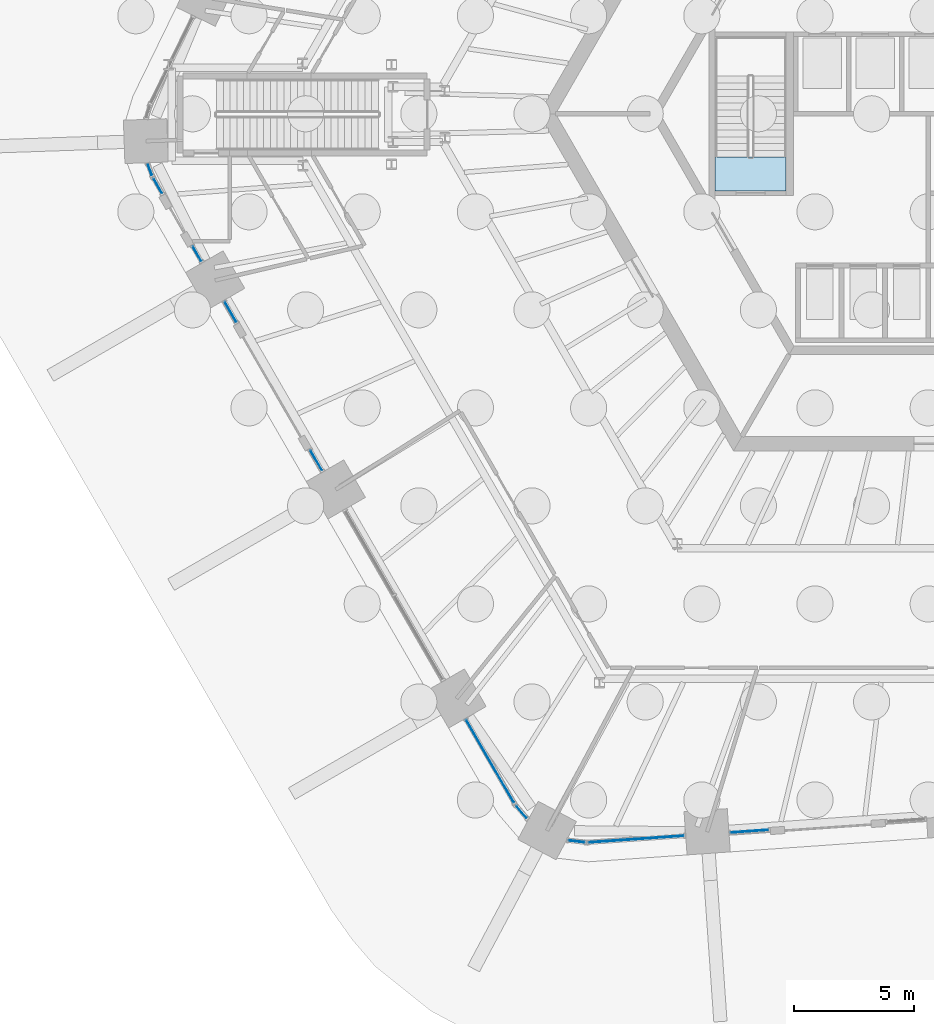
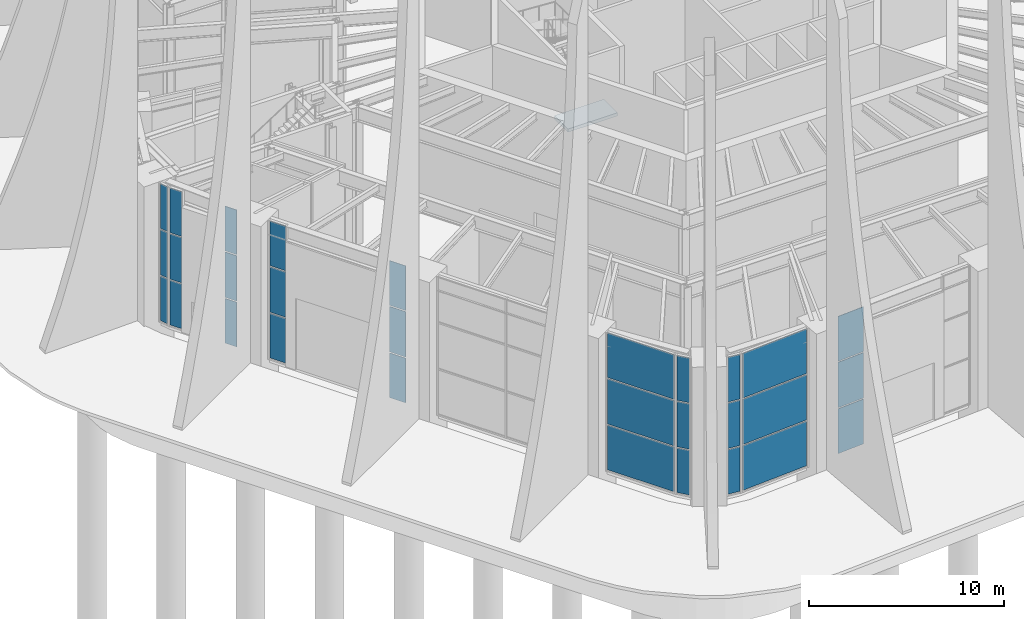
# One storey, part 18 of 43: 30 plates, 1 slab, 11 elements without a shape of their own.
"""IFC4 building model written with IfcOpenShell, lengths in metres."""

from ifc_helpers import new_model, si_unit, direction, frame, origin, origin_2d, place, context, subcontext, project, spatial, polyline, rectangle, outline, extrude, material, layer, layer_set, type_object, element, aggregate, save


model = new_model("IFC4")

# Units and contexts
model_context = context("Model", 3, precision=1e-05, world=origin(), true_north=direction((0.0, 1.0)))
body_context = subcontext(model_context, "Body", "Model", "MODEL_VIEW")
ifc_project = project(units=[si_unit("LENGTHUNIT", "METRE"), si_unit("AREAUNIT", "SQUARE_METRE"), si_unit("VOLUMEUNIT", "CUBIC_METRE"), si_unit("PLANEANGLEUNIT", "RADIAN"), si_unit("MASSUNIT", "GRAM", prefix="KILO")], contexts=[model_context])

# Site, building, storey
site_placement = place(None, origin())
site = spatial("IfcSite", under=ifc_project, at=site_placement, CompositionType="ELEMENT")
building_placement = place(site_placement, origin())
building = spatial("IfcBuilding", under=site, at=building_placement, Name="Tarnside Tower", CompositionType="ELEMENT")
storey_placement = place(building_placement, origin())
storey = spatial("IfcBuildingStorey", under=building, at=storey_placement, Name="L00", CompositionType="ELEMENT", Elevation=0.0)

# Curtain wall, plates
ifc_material_1 = material(Name="Lobby entrance glazing wall", Category="glass")
curtain_wall_type_1 = type_object("IfcCurtainWallType", Name="Lobby entrance glazing wall", PredefinedType="NOTDEFINED", material=ifc_material_1)
curtain_wall_1_placement = place(storey_placement, origin())
curtain_wall_1 = element("IfcCurtainWall", 1, at=curtain_wall_1_placement, inside=storey, type_object=curtain_wall_type_1, Name="Side light 12a", PredefinedType="NOTDEFINED")
ifc_material_2 = material(Name="Low-iron safety glass", Category="glass")
ifc_layer_1 = layer(ifc_material_2, 0.030029296875)
ifc_layer_set_1 = layer_set([ifc_layer_1], Name="Lobby entrance glazing panel 30")
plate_type_1 = type_object("IfcPlateType", Name="Lobby entrance glazing panel 30", PredefinedType="CURTAIN_PANEL", material=ifc_layer_set_1)
plate_1_placement = place(storey_placement, frame((-7.4189453125, -29.7900390625, 0.06982421875), z_axis=(0.0, 0.0, 1.0), x_axis=(0.997564050234, 0.06975647411, 0.0)))
plate_1 = element("IfcPlate", 2, at=plate_1_placement, type_object=plate_type_1, Name="CW3 panel 1.1", PredefinedType="CURTAIN_PANEL", context=body_context, shape_type="SweptSolid", body=[
    extrude(rectangle(XDim=1.57177734375, YDim=0.030029296875, at=origin_2d()), origin(), (0.0, 0.0, 1.0), 2.811767578125),
])
plate_2_placement = place(storey_placement, frame((-7.4189453125, -29.7900390625, 2.95166015625), z_axis=(0.0, 0.0, 1.0), x_axis=(0.997564050234, 0.06975647411, 0.0)))
plate_2 = element("IfcPlate", 3, at=plate_2_placement, type_object=plate_type_1, Name="CW3 panel 1.2", PredefinedType="CURTAIN_PANEL", context=body_context, shape_type="SweptSolid", body=[
    extrude(rectangle(XDim=1.57177734375, YDim=0.030029296875, at=origin_2d()), origin(), (0.0, 0.0, 1.0), 2.8466796875),
])
plate_3_placement = place(storey_placement, frame((-7.4189453125, -29.7900390625, 5.8681640625), z_axis=(0.0, 0.0, 1.0), x_axis=(0.997564050234, 0.06975647411, 0.0)))
plate_3 = element("IfcPlate", 4, at=plate_3_placement, type_object=plate_type_1, Name="CW3 panel 1.3", PredefinedType="CURTAIN_PANEL", context=body_context, shape_type="SweptSolid", body=[
    extrude(rectangle(XDim=1.57177734375, YDim=0.030029296875, at=origin_2d()), origin(), (0.0, 0.0, 1.0), 2.811767578125),
])
aggregate(curtain_wall_1, [plate_1, plate_2, plate_3])

# Stair, slab
ifc_material_3 = material(Name="Concrete C40/50", Category="concrete")
stair_type = type_object("IfcStairType", Name="Exit stair 1400 clear", PredefinedType="HALF_TURN_STAIR", material=ifc_material_3)
stair_placement = place(storey_placement, origin())
stair = element("IfcStair", 5, at=stair_placement, inside=storey, type_object=stair_type, Name="L00 Exit stair 2", PredefinedType="HALF_TURN_STAIR")
ifc_layer_2 = layer(ifc_material_3, 0.199951171875)
ifc_layer_set_2 = layer_set([ifc_layer_2], Name="Stair landing 200 C40/50")
slab_type = type_object("IfcSlabType", Name="Stair landing 200 C40/50", PredefinedType="LANDING", material=ifc_layer_set_2)
slab_placement = place(storey_placement, frame((0.0, 0.0, 4.300048828125)))
slab = element("IfcSlab", 6, at=slab_placement, type_object=slab_type, Name="ST2 landing 2", PredefinedType="LANDING", context=body_context, shape_type="SweptSolid", body=[
    extrude(outline(polyline([(-5.89990234375, -3.199951171875), (-5.89990234375, -1.800048828125), (-8.85009765625, -1.800048828125), (-8.85009765625, -3.199951171875), (-5.89990234375, -3.199951171875)])), origin(), (0.0, 0.0, 1.0), 0.199951171875),
])
aggregate(stair, [slab])

# Curtain wall, plates
ifc_material_4 = material(Name="Station concourse glazing wall", Category="glass")
curtain_wall_type_2 = type_object("IfcCurtainWallType", Name="Station concourse glazing wall", PredefinedType="NOTDEFINED", material=ifc_material_4)
curtain_wall_2_placement = place(storey_placement, origin())
curtain_wall_2 = element("IfcCurtainWall", 7, at=curtain_wall_2_placement, inside=storey, type_object=curtain_wall_type_2, Name="Side light 070a", PredefinedType="NOTDEFINED")
ifc_layer_3 = layer(ifc_material_2, 0.031982421875)
ifc_layer_set_3 = layer_set([ifc_layer_3], Name="Station concourse glazing panel 32")
plate_type_2 = type_object("IfcPlateType", Name="Station concourse glazing panel 32", PredefinedType="CURTAIN_PANEL", material=ifc_layer_set_3)
plate_4_placement = place(storey_placement, frame((-32.314453125, -2.328369140625, 0.080078125), z_axis=(0.0, 0.0, 1.0), x_axis=(0.352930565764, -0.935649515443, 0.0)))
plate_4 = element("IfcPlate", 8, at=plate_4_placement, type_object=plate_type_2, Name="CW1 panel 1.1", PredefinedType="CURTAIN_PANEL", context=body_context, shape_type="SweptSolid", body=[
    extrude(rectangle(XDim=0.4482421875, YDim=0.031982421875, at=origin_2d()), origin(), (0.0, 0.0, 1.0), 2.796630859375),
])
plate_5_placement = place(storey_placement, frame((-32.314453125, -2.328369140625, 2.95654296875), z_axis=(0.0, 0.0, 1.0), x_axis=(0.352930565764, -0.935649515443, 0.0)))
plate_5 = element("IfcPlate", 9, at=plate_5_placement, type_object=plate_type_2, Name="CW1 panel 1.2", PredefinedType="CURTAIN_PANEL", context=body_context, shape_type="SweptSolid", body=[
    extrude(rectangle(XDim=0.4482421875, YDim=0.031982421875, at=origin_2d()), origin(), (0.0, 0.0, 1.0), 2.836669921875),
])
plate_6_placement = place(storey_placement, frame((-32.314453125, -2.328369140625, 5.87353515625), z_axis=(0.0, 0.0, 1.0), x_axis=(0.352930565764, -0.935649515443, 0.0)))
plate_6 = element("IfcPlate", 10, at=plate_6_placement, type_object=plate_type_2, Name="CW1 panel 1.3", PredefinedType="CURTAIN_PANEL", context=body_context, shape_type="SweptSolid", body=[
    extrude(rectangle(XDim=0.4482421875, YDim=0.031982421875, at=origin_2d()), origin(), (0.0, 0.0, 1.0), 2.796630859375),
])
aggregate(curtain_wall_2, [plate_4, plate_5, plate_6])

curtain_wall_3_placement = place(storey_placement, origin())
curtain_wall_3 = element("IfcCurtainWall", 11, at=curtain_wall_3_placement, inside=storey, type_object=curtain_wall_type_2, Name="Side light 071a", PredefinedType="NOTDEFINED")
plate_7_placement = place(storey_placement, frame((-31.986083984375, -2.998291015625, 0.080078125), z_axis=(0.0, 0.0, 1.0), x_axis=(0.500000000045, -0.866025403758, 0.0)))
plate_7 = element("IfcPlate", 12, at=plate_7_placement, type_object=plate_type_2, Name="CW1 panel 1.1", PredefinedType="CURTAIN_PANEL", context=body_context, shape_type="SweptSolid", body=[
    extrude(rectangle(XDim=0.69580078125, YDim=0.031982421875, at=origin_2d()), origin(), (0.0, 0.0, 1.0), 2.796630859375),
])
plate_8_placement = place(storey_placement, frame((-31.986083984375, -2.998291015625, 2.95654296875), z_axis=(0.0, 0.0, 1.0), x_axis=(0.500000000045, -0.866025403758, 0.0)))
plate_8 = element("IfcPlate", 13, at=plate_8_placement, type_object=plate_type_2, Name="CW1 panel 1.2", PredefinedType="CURTAIN_PANEL", context=body_context, shape_type="SweptSolid", body=[
    extrude(rectangle(XDim=0.69580078125, YDim=0.031982421875, at=origin_2d()), origin(), (0.0, 0.0, 1.0), 2.836669921875),
])
plate_9_placement = place(storey_placement, frame((-31.986083984375, -2.998291015625, 5.87353515625), z_axis=(0.0, 0.0, 1.0), x_axis=(0.500000000045, -0.866025403758, 0.0)))
plate_9 = element("IfcPlate", 14, at=plate_9_placement, type_object=plate_type_2, Name="CW1 panel 1.3", PredefinedType="CURTAIN_PANEL", context=body_context, shape_type="SweptSolid", body=[
    extrude(rectangle(XDim=0.69580078125, YDim=0.031982421875, at=origin_2d()), origin(), (0.0, 0.0, 1.0), 2.796630859375),
])
aggregate(curtain_wall_3, [plate_7, plate_8, plate_9])

curtain_wall_4_placement = place(storey_placement, origin())
curtain_wall_4 = element("IfcCurtainWall", 15, at=curtain_wall_4_placement, inside=storey, type_object=curtain_wall_type_2, Name="Side light 071x1", PredefinedType="NOTDEFINED")
plate_10_placement = place(storey_placement, frame((-30.358154296875, -5.818115234375, 0.080078125), z_axis=(0.0, 0.0, 1.0), x_axis=(0.500000000045, -0.866025403758, 0.0)))
plate_10 = element("IfcPlate", 16, at=plate_10_placement, type_object=plate_type_2, Name="CW1 panel 1.1", PredefinedType="CURTAIN_PANEL", context=body_context, shape_type="SweptSolid", body=[
    extrude(rectangle(XDim=0.69580078125, YDim=0.031982421875, at=origin_2d()), origin(), (0.0, 0.0, 1.0), 2.796630859375),
])
plate_11_placement = place(storey_placement, frame((-30.358154296875, -5.818115234375, 2.95654296875), z_axis=(0.0, 0.0, 1.0), x_axis=(0.500000000045, -0.866025403758, 0.0)))
plate_11 = element("IfcPlate", 17, at=plate_11_placement, type_object=plate_type_2, Name="CW1 panel 1.2", PredefinedType="CURTAIN_PANEL", context=body_context, shape_type="SweptSolid", body=[
    extrude(rectangle(XDim=0.69580078125, YDim=0.031982421875, at=origin_2d()), origin(), (0.0, 0.0, 1.0), 2.836669921875),
])
plate_12_placement = place(storey_placement, frame((-30.358154296875, -5.818115234375, 5.87353515625), z_axis=(0.0, 0.0, 1.0), x_axis=(0.500000000045, -0.866025403758, 0.0)))
plate_12 = element("IfcPlate", 18, at=plate_12_placement, type_object=plate_type_2, Name="CW1 panel 1.3", PredefinedType="CURTAIN_PANEL", context=body_context, shape_type="SweptSolid", body=[
    extrude(rectangle(XDim=0.69580078125, YDim=0.031982421875, at=origin_2d()), origin(), (0.0, 0.0, 1.0), 2.796630859375),
])
aggregate(curtain_wall_4, [plate_10, plate_11, plate_12])

curtain_wall_5_placement = place(storey_placement, origin())
curtain_wall_5 = element("IfcCurtainWall", 19, at=curtain_wall_5_placement, inside=storey, type_object=curtain_wall_type_2, Name="Side light 08a", PredefinedType="NOTDEFINED")
plate_13_placement = place(storey_placement, frame((-28.96630859375, -8.22900390625, 0.080078125), z_axis=(0.0, 0.0, 1.0), x_axis=(0.49999999929, -0.866025404195, 0.0)))
plate_13 = element("IfcPlate", 20, at=plate_13_placement, type_object=plate_type_2, Name="CW1 panel 1.1", PredefinedType="CURTAIN_PANEL", context=body_context, shape_type="SweptSolid", body=[
    extrude(rectangle(XDim=0.951904296875, YDim=0.031982421875, at=origin_2d()), origin(), (0.0, 0.0, 1.0), 2.796630859375),
])
plate_14_placement = place(storey_placement, frame((-28.96630859375, -8.22900390625, 2.95654296875), z_axis=(0.0, 0.0, 1.0), x_axis=(0.49999999929, -0.866025404195, 0.0)))
plate_14 = element("IfcPlate", 21, at=plate_14_placement, type_object=plate_type_2, Name="CW1 panel 1.2", PredefinedType="CURTAIN_PANEL", context=body_context, shape_type="SweptSolid", body=[
    extrude(rectangle(XDim=0.951904296875, YDim=0.031982421875, at=origin_2d()), origin(), (0.0, 0.0, 1.0), 2.836669921875),
])
plate_15_placement = place(storey_placement, frame((-28.96630859375, -8.22900390625, 5.87353515625), z_axis=(0.0, 0.0, 1.0), x_axis=(0.49999999929, -0.866025404195, 0.0)))
plate_15 = element("IfcPlate", 22, at=plate_15_placement, type_object=plate_type_2, Name="CW1 panel 1.3", PredefinedType="CURTAIN_PANEL", context=body_context, shape_type="SweptSolid", body=[
    extrude(rectangle(XDim=0.951904296875, YDim=0.031982421875, at=origin_2d()), origin(), (0.0, 0.0, 1.0), 2.796630859375),
])
aggregate(curtain_wall_5, [plate_13, plate_14, plate_15])

curtain_wall_6_placement = place(storey_placement, origin())
curtain_wall_6 = element("IfcCurtainWall", 23, at=curtain_wall_6_placement, inside=storey, type_object=curtain_wall_type_2, Name="Side light 08b", PredefinedType="NOTDEFINED")
plate_16_placement = place(storey_placement, frame((-25.410400390625, -14.387939453125, 0.080078125), z_axis=(0.0, 0.0, 1.0), x_axis=(0.49999999997, -0.866025403802, 0.0)))
plate_16 = element("IfcPlate", 24, at=plate_16_placement, type_object=plate_type_2, Name="CW1 panel 1.1", PredefinedType="CURTAIN_PANEL", context=body_context, shape_type="SweptSolid", body=[
    extrude(rectangle(XDim=0.951904296875, YDim=0.031982421875, at=origin_2d()), origin(), (0.0, 0.0, 1.0), 2.796630859375),
])
plate_17_placement = place(storey_placement, frame((-25.410400390625, -14.387939453125, 2.95654296875), z_axis=(0.0, 0.0, 1.0), x_axis=(0.49999999997, -0.866025403802, 0.0)))
plate_17 = element("IfcPlate", 25, at=plate_17_placement, type_object=plate_type_2, Name="CW1 panel 1.2", PredefinedType="CURTAIN_PANEL", context=body_context, shape_type="SweptSolid", body=[
    extrude(rectangle(XDim=0.951904296875, YDim=0.031982421875, at=origin_2d()), origin(), (0.0, 0.0, 1.0), 2.836669921875),
])
plate_18_placement = place(storey_placement, frame((-25.410400390625, -14.387939453125, 5.87353515625), z_axis=(0.0, 0.0, 1.0), x_axis=(0.49999999997, -0.866025403802, 0.0)))
plate_18 = element("IfcPlate", 26, at=plate_18_placement, type_object=plate_type_2, Name="CW1 panel 1.3", PredefinedType="CURTAIN_PANEL", context=body_context, shape_type="SweptSolid", body=[
    extrude(rectangle(XDim=0.951904296875, YDim=0.031982421875, at=origin_2d()), origin(), (0.0, 0.0, 1.0), 2.796630859375),
])
aggregate(curtain_wall_6, [plate_16, plate_17, plate_18])

curtain_wall_7_placement = place(storey_placement, origin())
curtain_wall_7 = element("IfcCurtainWall", 27, at=curtain_wall_7_placement, inside=storey, type_object=curtain_wall_type_2, Name="Station concourse glazing L00 10.0", PredefinedType="NOTDEFINED")
plate_19_placement = place(storey_placement, frame((-18.192626953125, -26.889404296875, 0.080078125), z_axis=(0.0, 0.0, 1.0), x_axis=(0.499999999849, -0.866025403872, 0.0)))
plate_19 = element("IfcPlate", 28, at=plate_19_placement, type_object=plate_type_2, Name="CW1 panel 1.1", PredefinedType="CURTAIN_PANEL", context=body_context, shape_type="SweptSolid", body=[
    extrude(rectangle(XDim=3.951904296875, YDim=0.031982421875, at=origin_2d()), origin(), (0.0, 0.0, 1.0), 2.796630859375),
])
plate_20_placement = place(storey_placement, frame((-18.192626953125, -26.889404296875, 2.95654296875), z_axis=(0.0, 0.0, 1.0), x_axis=(0.499999999849, -0.866025403872, 0.0)))
plate_20 = element("IfcPlate", 29, at=plate_20_placement, type_object=plate_type_2, Name="CW1 panel 1.2", PredefinedType="CURTAIN_PANEL", context=body_context, shape_type="SweptSolid", body=[
    extrude(rectangle(XDim=3.951904296875, YDim=0.031982421875, at=origin_2d()), origin(), (0.0, 0.0, 1.0), 2.836669921875),
])
plate_21_placement = place(storey_placement, frame((-18.192626953125, -26.889404296875, 5.87353515625), z_axis=(0.0, 0.0, 1.0), x_axis=(0.499999999849, -0.866025403872, 0.0)))
plate_21 = element("IfcPlate", 30, at=plate_21_placement, type_object=plate_type_2, Name="CW1 panel 1.3", PredefinedType="CURTAIN_PANEL", context=body_context, shape_type="SweptSolid", body=[
    extrude(rectangle(XDim=3.951904296875, YDim=0.031982421875, at=origin_2d()), origin(), (0.0, 0.0, 1.0), 2.796630859375),
])
aggregate(curtain_wall_7, [plate_19, plate_20, plate_21])

curtain_wall_8_placement = place(storey_placement, origin())
curtain_wall_8 = element("IfcCurtainWall", 31, at=curtain_wall_8_placement, inside=storey, type_object=curtain_wall_type_2, Name="Station concourse glazing L00 10.1", PredefinedType="NOTDEFINED")
plate_22_placement = place(storey_placement, frame((-16.88623046875, -28.99658203125, 0.080078125), z_axis=(0.0, 0.0, 1.0), x_axis=(0.651657228826, -0.758513583345, 0.0)))
plate_22 = element("IfcPlate", 32, at=plate_22_placement, type_object=plate_type_2, Name="CW1 panel 1.1", PredefinedType="CURTAIN_PANEL", context=body_context, shape_type="SweptSolid", body=[
    extrude(rectangle(XDim=0.661376953125, YDim=0.031982421875, at=origin_2d()), origin(), (0.0, 0.0, 1.0), 2.796630859375),
])
plate_23_placement = place(storey_placement, frame((-16.88623046875, -28.99658203125, 2.95654296875), z_axis=(0.0, 0.0, 1.0), x_axis=(0.651657228826, -0.758513583345, 0.0)))
plate_23 = element("IfcPlate", 33, at=plate_23_placement, type_object=plate_type_2, Name="CW1 panel 1.2", PredefinedType="CURTAIN_PANEL", context=body_context, shape_type="SweptSolid", body=[
    extrude(rectangle(XDim=0.661376953125, YDim=0.031982421875, at=origin_2d()), origin(), (0.0, 0.0, 1.0), 2.836669921875),
])
plate_24_placement = place(storey_placement, frame((-16.88623046875, -28.99658203125, 5.87353515625), z_axis=(0.0, 0.0, 1.0), x_axis=(0.651657228826, -0.758513583345, 0.0)))
plate_24 = element("IfcPlate", 34, at=plate_24_placement, type_object=plate_type_2, Name="CW1 panel 1.3", PredefinedType="CURTAIN_PANEL", context=body_context, shape_type="SweptSolid", body=[
    extrude(rectangle(XDim=0.661376953125, YDim=0.031982421875, at=origin_2d()), origin(), (0.0, 0.0, 1.0), 2.796630859375),
])
aggregate(curtain_wall_8, [plate_22, plate_23, plate_24])

curtain_wall_9_placement = place(storey_placement, origin())
curtain_wall_9 = element("IfcCurtainWall", 35, at=curtain_wall_9_placement, inside=storey, type_object=curtain_wall_type_2, Name="Station concourse glazing L00 11.0", PredefinedType="NOTDEFINED")
plate_25_placement = place(storey_placement, frame((-14.5966796875, -30.214111328125, 0.080078125), z_axis=(0.0, 0.0, 1.0), x_axis=(0.993238357751, -0.116092914044, 0.0)))
plate_25 = element("IfcPlate", 36, at=plate_25_placement, type_object=plate_type_2, Name="CW1 panel 1.1", PredefinedType="CURTAIN_PANEL", context=body_context, shape_type="SweptSolid", body=[
    extrude(rectangle(XDim=0.661376953125, YDim=0.031982421875, at=origin_2d()), origin(), (0.0, 0.0, 1.0), 2.796630859375),
])
plate_26_placement = place(storey_placement, frame((-14.5966796875, -30.214111328125, 2.95654296875), z_axis=(0.0, 0.0, 1.0), x_axis=(0.993238357751, -0.116092914044, 0.0)))
plate_26 = element("IfcPlate", 37, at=plate_26_placement, type_object=plate_type_2, Name="CW1 panel 1.2", PredefinedType="CURTAIN_PANEL", context=body_context, shape_type="SweptSolid", body=[
    extrude(rectangle(XDim=0.661376953125, YDim=0.031982421875, at=origin_2d()), origin(), (0.0, 0.0, 1.0), 2.836669921875),
])
plate_27_placement = place(storey_placement, frame((-14.5966796875, -30.214111328125, 5.87353515625), z_axis=(0.0, 0.0, 1.0), x_axis=(0.993238357751, -0.116092914044, 0.0)))
plate_27 = element("IfcPlate", 38, at=plate_27_placement, type_object=plate_type_2, Name="CW1 panel 1.3", PredefinedType="CURTAIN_PANEL", context=body_context, shape_type="SweptSolid", body=[
    extrude(rectangle(XDim=0.661376953125, YDim=0.031982421875, at=origin_2d()), origin(), (0.0, 0.0, 1.0), 2.796630859375),
])
aggregate(curtain_wall_9, [plate_25, plate_26, plate_27])

curtain_wall_10_placement = place(storey_placement, origin())
curtain_wall_10 = element("IfcCurtainWall", 39, at=curtain_wall_10_placement, inside=storey, type_object=curtain_wall_type_2, Name="Station concourse glazing L00 11.1", PredefinedType="NOTDEFINED")
plate_28_placement = place(storey_placement, frame((-12.119140625, -30.11865234375, 0.080078125), z_axis=(0.0, 0.0, 1.0), x_axis=(0.997564050249, 0.069756473901, 0.0)))
plate_28 = element("IfcPlate", 40, at=plate_28_placement, type_object=plate_type_2, Name="CW1 panel 1.1", PredefinedType="CURTAIN_PANEL", context=body_context, shape_type="SweptSolid", body=[
    extrude(rectangle(XDim=3.951904296875, YDim=0.031982421875, at=origin_2d()), origin(), (0.0, 0.0, 1.0), 2.796630859375),
])
plate_29_placement = place(storey_placement, frame((-12.119140625, -30.11865234375, 2.95654296875), z_axis=(0.0, 0.0, 1.0), x_axis=(0.997564050249, 0.069756473901, 0.0)))
plate_29 = element("IfcPlate", 41, at=plate_29_placement, type_object=plate_type_2, Name="CW1 panel 1.2", PredefinedType="CURTAIN_PANEL", context=body_context, shape_type="SweptSolid", body=[
    extrude(rectangle(XDim=3.951904296875, YDim=0.031982421875, at=origin_2d()), origin(), (0.0, 0.0, 1.0), 2.836669921875),
])
plate_30_placement = place(storey_placement, frame((-12.119140625, -30.11865234375, 5.87353515625), z_axis=(0.0, 0.0, 1.0), x_axis=(0.997564050249, 0.069756473901, 0.0)))
plate_30 = element("IfcPlate", 42, at=plate_30_placement, type_object=plate_type_2, Name="CW1 panel 1.3", PredefinedType="CURTAIN_PANEL", context=body_context, shape_type="SweptSolid", body=[
    extrude(rectangle(XDim=3.951904296875, YDim=0.031982421875, at=origin_2d()), origin(), (0.0, 0.0, 1.0), 2.796630859375),
])
aggregate(curtain_wall_10, [plate_28, plate_29, plate_30])

save(model, "model.ifc")
